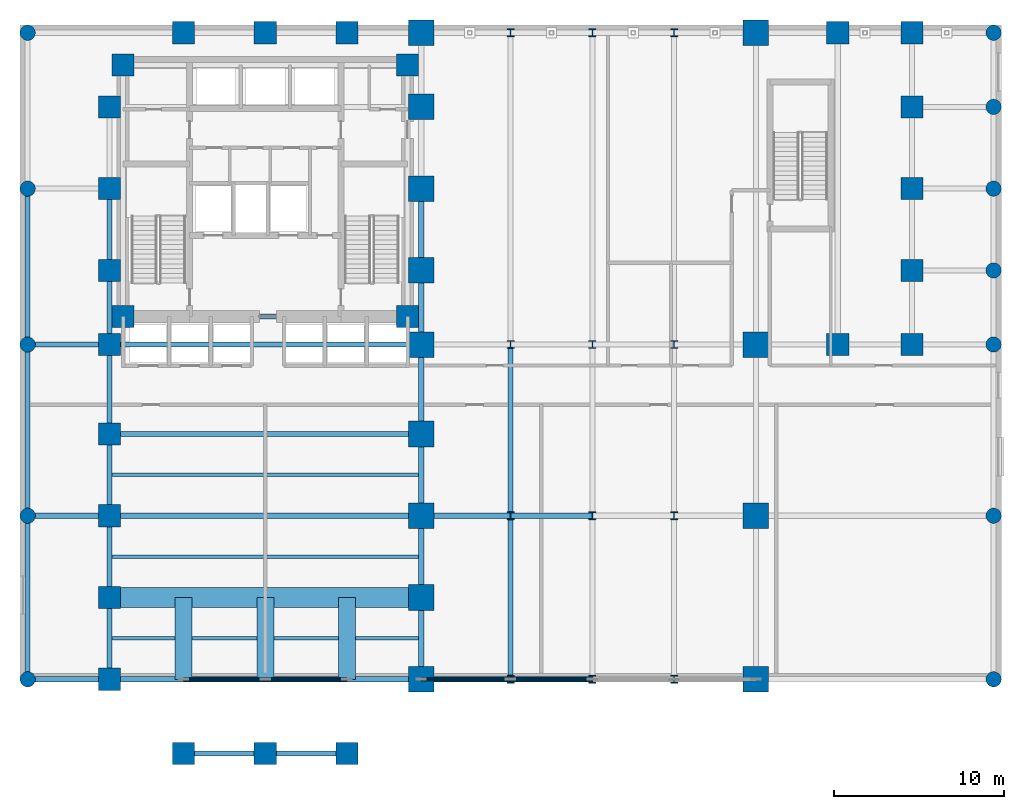
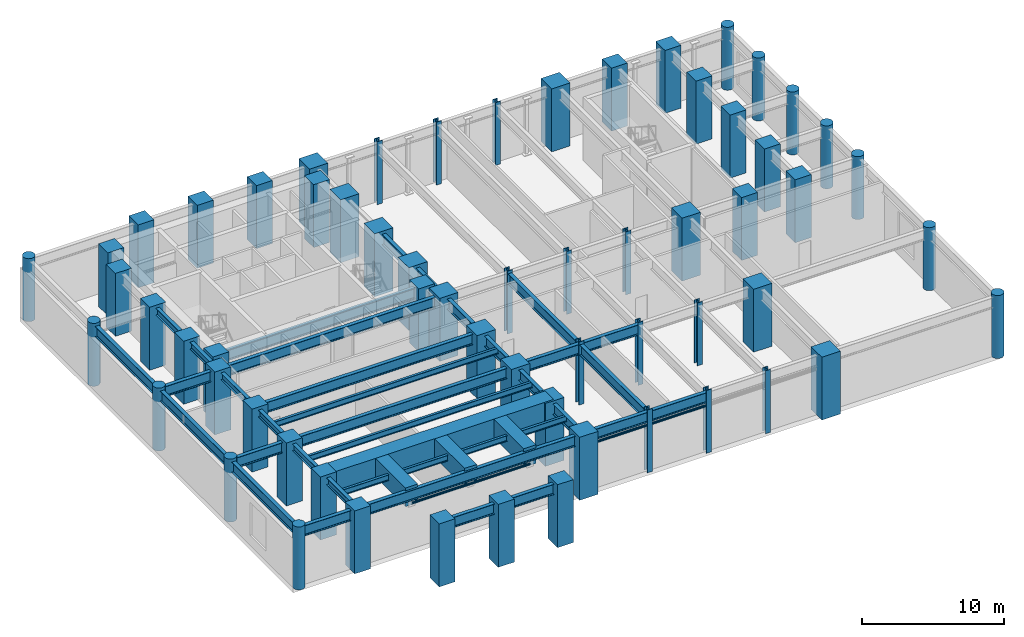
# One storey, part 1 of 10: 62 columns, 38 beams, 4 members.
"""IFC4 building model written with IfcOpenShell, lengths in metres."""

from ifc_helpers import new_model, si_unit, direction, frame, origin, origin_2d, place, context, subcontext, project, spatial, rectangle, circle, hollow_circle, i_section, extrude, material, material_profile, profile_set, type_object, element, save


model = new_model("IFC4")

# Units and contexts
model_context = context("Model", 3, precision=1e-05, world=origin(), true_north=direction((0.0, 1.0)))
body_context = subcontext(model_context, "Body", "Model", "MODEL_VIEW")
ifc_project = project(units=[si_unit("LENGTHUNIT", "METRE"), si_unit("AREAUNIT", "SQUARE_METRE"), si_unit("VOLUMEUNIT", "CUBIC_METRE"), si_unit("PLANEANGLEUNIT", "RADIAN"), si_unit("MASSUNIT", "GRAM", prefix="KILO")], contexts=[model_context])

# Site, building, storey
site_placement = place(None, origin())
site = spatial("IfcSite", under=ifc_project, at=site_placement, CompositionType="ELEMENT")
building_placement = place(site_placement, origin())
building = spatial("IfcBuilding", under=site, at=building_placement, Name="Orvandelia Arch Residences", CompositionType="ELEMENT")
storey_placement = place(building_placement, frame((0.0, 0.0, 19.60009765625)))
storey = spatial("IfcBuildingStorey", under=building, at=storey_placement, Name="L04", CompositionType="ELEMENT", Elevation=19.60009765625)

# Columns
ifc_material_1 = material(Name="Concrete C80/95", Category="concrete")
ifc_material_profile_1 = material_profile(ifc_material_1, rectangle(XDim=1.5, YDim=1.5, at=origin_2d()), Name="Concrete C80/95", Category="concrete")
ifc_profile_set_1 = profile_set([ifc_material_profile_1], Name="Concrete C80/95")
column_type_1 = type_object("IfcColumnType", Name="COL-MEGA-1500", PredefinedType="USERDEFINED", material=ifc_profile_set_1)
for number, where, z_axis, x_axis, name in (
    (1, (23.550048828125, 9.60009765625, 0.0), (0.0, 0.0, 1.0), (1.0, 0.0, 0.0), "Structural Column L04-W-E-96"),
    (2, (23.550048828125, 14.39990234375, 0.0), (0.0, 0.0, 1.0), (1.0, 0.0, 0.0), "Structural Column L04-W-E-144"),
    (3, (23.550048828125, 19.199951171875, 0.0), (0.0, 0.0, 1.0), (1.0, 0.0, 0.0), "Structural Column L04-W-E-192"),
    (4, (23.550048828125, 24.0, 0.0), (0.0, 0.0, 1.0), (1.0, 0.0, 0.0), "Structural Column L04-W-E-240"),
    (5, (23.550048828125, 29.25, 0.0), (0.0, 0.0, 1.0), (1.0, 0.0, 0.0), "Structural Column L04-W-E-292"),
    (6, (23.550048828125, 33.60009765625, 0.0), (0.0, 0.0, 1.0), (1.0, 0.0, 0.0), "Structural Column L04-W-E-336"),
    (7, (23.550048828125, 38.39990234375, 0.0), (0.0, 0.0, 1.0), (1.0, 0.0, 0.0), "Structural Column L04-W-E-384"),
    (8, (23.550048828125, 43.199951171875, 0.0), (0.0, 0.0, 1.0), (1.0, 0.0, 0.0), "Structural Column L04-W-E-432"),
    (9, (23.550048828125, 47.550048828125, 0.0), (0.0, 0.0, 1.0), (1.0, 0.0, 0.0), "Structural Column L04-W-N-235"),
    (10, (43.199951171875, 9.60009765625, 0.0), (0.0, 0.0, 1.0), (1.0, 0.0, 0.0), "Structural Column L04-MPE-96"),
    (11, (43.199951171875, 19.199951171875, 0.0), (0.0, 0.0, 1.0), (1.0, 0.0, 0.0), "Structural Column L04-MPE-192"),
    (12, (43.199951171875, 29.25, 0.0), (0.0, 0.0, 1.0), (1.0, 0.0, 0.0), "Structural Column L04-E-S-432"),
    (13, (43.199951171875, 47.550048828125, 0.0), (0.0, 0.0, 1.0), (1.0, 0.0, 0.0), "Structural Column L04-E-N-432"),
):
    element("IfcColumn", number, at=place(storey_placement, frame(where, z_axis=z_axis, x_axis=x_axis)), inside=storey, type_object=column_type_1, Name=name, ObjectType="PIER COLUMN", PredefinedType="USERDEFINED", context=body_context, shape_type="SweptSolid", body=[
        extrude(rectangle(XDim=1.5, YDim=1.5, at=origin_2d()), origin(), (0.0, 0.0, 1.0), 5.39990234375),
    ])
ifc_material_2 = material(Name="Concrete C60/75", Category="concrete")
ifc_material_profile_2 = material_profile(ifc_material_2, circle(Radius=0.449951171875, at=origin_2d()), Name="Concrete C60/75", Category="concrete")
ifc_profile_set_2 = profile_set([ifc_material_profile_2], Name="Concrete C60/75")
column_type_2 = type_object("IfcColumnType", Name="COL-POD-900C", PredefinedType="COLUMN", material=ifc_profile_set_2)
for number, where, z_axis, x_axis, name in (
    (14, (0.449951171875, 9.60009765625, 0.0), (0.0, 0.0, 1.0), (1.0, 0.0, 0.0), "Structural Column L04-POD-W0-96"),
    (15, (0.449951171875, 19.199951171875, 0.0), (0.0, 0.0, 1.0), (1.0, 0.0, 0.0), "Structural Column L04-POD-W0-192"),
    (16, (0.449951171875, 29.25, 0.0), (0.0, 0.0, 1.0), (1.0, 0.0, 0.0), "Structural Column L04-POD-W0-292"),
    (17, (0.449951171875, 38.39990234375, 0.0), (0.0, 0.0, 1.0), (1.0, 0.0, 0.0), "Structural Column L04-POD-W0-384"),
    (18, (0.449951171875, 47.550048828125, 0.0), (0.0, 0.0, 1.0), (1.0, 0.0, 0.0), "Structural Column L04-POD-W0-475"),
    (19, (57.14990234375, 9.60009765625, 0.0), (0.0, 0.0, 1.0), (1.0, 0.0, 0.0), "Structural Column L04-POD-E0-96"),
    (20, (57.14990234375, 19.199951171875, 0.0), (0.0, 0.0, 1.0), (1.0, 0.0, 0.0), "Structural Column L04-POD-E0-192"),
    (21, (57.14990234375, 29.25, 0.0), (0.0, 0.0, 1.0), (1.0, 0.0, 0.0), "Structural Column L04-POD-E0-292"),
    (22, (57.14990234375, 33.60009765625, 0.0), (0.0, 0.0, 1.0), (1.0, 0.0, 0.0), "Structural Column L04-E-571-336"),
    (23, (57.14990234375, 38.39990234375, 0.0), (0.0, 0.0, 1.0), (1.0, 0.0, 0.0), "Structural Column L04-POD-E0-384"),
    (24, (57.14990234375, 43.199951171875, 0.0), (0.0, 0.0, 1.0), (1.0, 0.0, 0.0), "Structural Column L04-E-571-432"),
    (25, (57.14990234375, 47.550048828125, 0.0), (0.0, 0.0, 1.0), (1.0, 0.0, 0.0), "Structural Column L04-POD-E0-475"),
):
    element("IfcColumn", number, at=place(storey_placement, frame(where, z_axis=z_axis, x_axis=x_axis)), inside=storey, type_object=column_type_2, Name=name, PredefinedType="COLUMN", context=body_context, shape_type="SweptSolid", body=[
        extrude(circle(Radius=0.449951171875, at=origin_2d()), origin(), (0.0, 0.0, 1.0), 5.39990234375),
    ])
ifc_material_profile_3 = material_profile(ifc_material_1, rectangle(XDim=1.300048828125, YDim=1.300048828125, at=origin_2d()), Name="Concrete C80/95", Category="concrete")
ifc_profile_set_3 = profile_set([ifc_material_profile_3], Name="Concrete C80/95")
column_type_3 = type_object("IfcColumnType", Name="COL-TWR-1300", PredefinedType="COLUMN", material=ifc_profile_set_3)
for number, where, z_axis, x_axis, name in (
    (26, (5.25, 9.60009765625, 0.0), (0.0, 0.0, 1.0), (1.0, 0.0, 0.0), "Structural Column L04-W-W-96"),
    (27, (5.25, 14.39990234375, 0.0), (0.0, 0.0, 1.0), (1.0, 0.0, 0.0), "Structural Column L04-W-W-144"),
    (28, (5.25, 19.199951171875, 0.0), (0.0, 0.0, 1.0), (1.0, 0.0, 0.0), "Structural Column L04-W-W-192"),
    (29, (5.25, 24.0, 0.0), (0.0, 0.0, 1.0), (1.0, 0.0, 0.0), "Structural Column L04-W-W-240"),
    (30, (5.25, 29.25, 0.0), (0.0, 0.0, 1.0), (1.0, 0.0, 0.0), "Structural Column L04-W-W-292"),
    (31, (5.25, 33.60009765625, 0.0), (0.0, 0.0, 1.0), (1.0, 0.0, 0.0), "Structural Column L04-W-W-336"),
    (32, (5.25, 38.39990234375, 0.0), (0.0, 0.0, 1.0), (1.0, 0.0, 0.0), "Structural Column L04-W-W-384"),
    (33, (5.25, 43.199951171875, 0.0), (0.0, 0.0, 1.0), (1.0, 0.0, 0.0), "Structural Column L04-W-W-432"),
    (34, (6.050048828125, 30.89990234375, 0.0), (0.0, 0.0, 1.0), (1.0, 0.0, 0.0), "Structural Column L04-CR-SW"),
    (35, (6.050048828125, 45.64990234375, 0.0), (0.0, 0.0, 1.0), (1.0, 0.0, 0.0), "Structural Column L04-CR-NW"),
    (36, (9.60009765625, 5.25, 0.0), (0.0, 0.0, 1.0), (1.0, 0.0, 0.0), "Structural Column L04-W-S-96"),
    (37, (9.60009765625, 47.550048828125, 0.0), (0.0, 0.0, 1.0), (1.0, 0.0, 0.0), "Structural Column L04-W-N-96"),
    (38, (14.39990234375, 5.25, 0.0), (0.0, 0.0, 1.0), (1.0, 0.0, 0.0), "Structural Column L04-W-S-144"),
    (39, (14.39990234375, 47.550048828125, 0.0), (0.0, 0.0, 1.0), (1.0, 0.0, 0.0), "Structural Column L04-W-N-144"),
    (40, (19.199951171875, 5.25, 0.0), (0.0, 0.0, 1.0), (1.0, 0.0, 0.0), "Structural Column L04-W-S-192"),
    (41, (19.199951171875, 47.550048828125, 0.0), (0.0, 0.0, 1.0), (1.0, 0.0, 0.0), "Structural Column L04-W-N-192"),
    (42, (22.75, 30.89990234375, 0.0), (0.0, 0.0, 1.0), (1.0, 0.0, 0.0), "Structural Column L04-CR-SE"),
    (43, (22.75, 45.64990234375, 0.0), (0.0, 0.0, 1.0), (1.0, 0.0, 0.0), "Structural Column L04-CR-NE"),
    (44, (48.0, 29.25, 0.0), (0.0, 0.0, 1.0), (1.0, 0.0, 0.0), "Structural Column L04-E-S-480"),
    (45, (48.0, 47.550048828125, 0.0), (0.0, 0.0, 1.0), (1.0, 0.0, 0.0), "Structural Column L04-E-N-480"),
    (46, (52.35009765625, 29.25, 0.0), (0.0, 0.0, 1.0), (1.0, 0.0, 0.0), "Structural Column L04-E-S-523"),
    (47, (52.35009765625, 33.60009765625, 0.0), (0.0, 0.0, 1.0), (1.0, 0.0, 0.0), "Structural Column L04-E-523-336"),
    (48, (52.35009765625, 38.39990234375, 0.0), (0.0, 0.0, 1.0), (1.0, 0.0, 0.0), "Structural Column L04-E-523-384"),
    (49, (52.35009765625, 43.199951171875, 0.0), (0.0, 0.0, 1.0), (1.0, 0.0, 0.0), "Structural Column L04-E-523-432"),
    (50, (52.35009765625, 47.550048828125, 0.0), (0.0, 0.0, 1.0), (1.0, 0.0, 0.0), "Structural Column L04-E-N-523"),
):
    element("IfcColumn", number, at=place(storey_placement, frame(where, z_axis=z_axis, x_axis=x_axis)), inside=storey, type_object=column_type_3, Name=name, PredefinedType="COLUMN", context=body_context, shape_type="SweptSolid", body=[
        extrude(rectangle(XDim=1.300048828125, YDim=1.300048828125, at=origin_2d()), origin(), (0.0, 0.0, 1.0), 5.39990234375),
    ])
ifc_material_3 = material(Name="Structural Steel HSA650 (650 MPa)", Category="steel")
ifc_material_profile_4 = material_profile(ifc_material_3, i_section(OverallWidth=0.4169921875, OverallDepth=0.4580078125, WebThickness=0.030029296875, FlangeThickness=0.044921875, FilletRadius=0.02197265625, at=origin_2d()), Name="Structural Steel HSA650 (650 MPa)", Category="steel")
ifc_profile_set_4 = profile_set([ifc_material_profile_4], Name="Structural Steel HSA650 (650 MPa)")
column_type_4 = type_object("IfcColumnType", Name="COL-VRD-H458", PredefinedType="COLUMN", material=ifc_profile_set_4)
for number, where, z_axis, x_axis, name in (
    (51, (28.800048828125, 9.60009765625, 0.0), (0.0, 0.0, 1.0), (1.0, 0.0, 0.0), "Structural Column L04-XFR-S-288-96"),
    (52, (28.800048828125, 19.199951171875, 0.0), (0.0, 0.0, 1.0), (1.0, 0.0, 0.0), "Structural Column L04-XFR-S-288-192"),
    (53, (28.800048828125, 29.25, 0.0), (0.0, 0.0, 1.0), (1.0, 0.0, 0.0), "Structural Column L04-E-S-288"),
    (54, (28.800048828125, 47.550048828125, 0.0), (0.0, 0.0, 1.0), (1.0, 0.0, 0.0), "Structural Column L04-E-N-288"),
    (55, (33.60009765625, 9.60009765625, 0.0), (0.0, 0.0, 1.0), (1.0, 0.0, 0.0), "Structural Column L04-XFR-S-336-96"),
    (56, (33.60009765625, 19.199951171875, 0.0), (0.0, 0.0, 1.0), (1.0, 0.0, 0.0), "Structural Column L04-XFR-S-336-192"),
    (57, (33.60009765625, 29.25, 0.0), (0.0, 0.0, 1.0), (1.0, 0.0, 0.0), "Structural Column L04-E-S-336"),
    (58, (33.60009765625, 47.550048828125, 0.0), (0.0, 0.0, 1.0), (1.0, 0.0, 0.0), "Structural Column L04-E-N-336"),
    (59, (38.39990234375, 9.60009765625, 0.0), (0.0, 0.0, 1.0), (1.0, 0.0, 0.0), "Structural Column L04-XFR-S-384-96"),
    (60, (38.39990234375, 19.199951171875, 0.0), (0.0, 0.0, 1.0), (1.0, 0.0, 0.0), "Structural Column L04-XFR-S-384-192"),
    (61, (38.39990234375, 29.25, 0.0), (0.0, 0.0, 1.0), (1.0, 0.0, 0.0), "Structural Column L04-E-S-384"),
    (62, (38.39990234375, 47.550048828125, 0.0), (0.0, 0.0, 1.0), (1.0, 0.0, 0.0), "Structural Column L04-E-N-384"),
):
    element("IfcColumn", number, at=place(storey_placement, frame(where, z_axis=z_axis, x_axis=x_axis)), inside=storey, type_object=column_type_4, Name=name, PredefinedType="COLUMN", context=body_context, shape_type="SweptSolid", body=[
        extrude(i_section(OverallWidth=0.4169921875, OverallDepth=0.4580078125, WebThickness=0.030029296875, FlangeThickness=0.044921875, FilletRadius=0.02197265625, at=origin_2d()), origin(), (0.0, 0.0, 1.0), 5.39990234375),
    ])

# Beams
ifc_material_profile_5 = material_profile(ifc_material_3, i_section(OverallWidth=0.300048828125, OverallDepth=0.89990234375, WebThickness=0.01611328125, FlangeThickness=0.028076171875, FilletRadius=0.028076171875, at=origin_2d()), Name="Structural Steel HSA650 (650 MPa)", Category="steel")
ifc_profile_set_5 = profile_set([ifc_material_profile_5], Name="Structural Steel HSA650 (650 MPa)")
beam_type_1 = type_object("IfcBeamType", Name="BM-GRD-H900", PredefinedType="BEAM", material=ifc_profile_set_5)
beam_1_placement = place(storey_placement, frame((0.449951171875, 9.60009765625, 4.699951171875), z_axis=(0.0, 1.0, 0.0), x_axis=(-1.0, 0.0, 0.0)))
element("IfcBeam", 63, at=beam_1_placement, inside=storey, type_object=beam_type_1, Name="Structural Frame Beam L04-NS-001", PredefinedType="BEAM", context=body_context, shape_type="SweptSolid", body=[
    extrude(i_section(OverallWidth=0.300048828125, OverallDepth=0.89990234375, WebThickness=0.01611328125, FlangeThickness=0.028076171875, FilletRadius=0.028076171875, at=origin_2d()), origin(), (0.0, 0.0, 1.0), 9.599853515625),
])
beam_2_placement = place(storey_placement, frame((0.449951171875, 19.199951171875, 4.699951171875), z_axis=(0.0, 1.0, 0.0), x_axis=(-1.0, 0.0, 0.0)))
element("IfcBeam", 64, at=beam_2_placement, inside=storey, type_object=beam_type_1, Name="Structural Frame Beam L04-NS-002", PredefinedType="BEAM", context=body_context, shape_type="SweptSolid", body=[
    extrude(i_section(OverallWidth=0.300048828125, OverallDepth=0.89990234375, WebThickness=0.01611328125, FlangeThickness=0.028076171875, FilletRadius=0.028076171875, at=origin_2d()), origin(), (0.0, 0.0, 1.0), 10.050048828125),
])
beam_3_placement = place(storey_placement, frame((0.449951171875, 29.25, 4.699951171875), z_axis=(0.0, 1.0, 0.0), x_axis=(-1.0, 0.0, 0.0)))
element("IfcBeam", 65, at=beam_3_placement, inside=storey, type_object=beam_type_1, Name="Structural Frame Beam L04-NS-003", PredefinedType="BEAM", context=body_context, shape_type="SweptSolid", body=[
    extrude(i_section(OverallWidth=0.300048828125, OverallDepth=0.89990234375, WebThickness=0.01611328125, FlangeThickness=0.028076171875, FilletRadius=0.028076171875, at=origin_2d()), origin(), (0.0, 0.0, 1.0), 9.14990234375),
])
beam_4_placement = place(storey_placement, frame((23.550048828125, 9.60009765625, 4.699951171875), z_axis=(0.0, 1.0, 0.0), x_axis=(-1.0, 0.0, 0.0)))
element("IfcBeam", 66, at=beam_4_placement, inside=storey, type_object=beam_type_1, Name="Structural Frame Beam L04-NS-014", PredefinedType="BEAM", context=body_context, shape_type="SweptSolid", body=[
    extrude(i_section(OverallWidth=0.300048828125, OverallDepth=0.89990234375, WebThickness=0.01611328125, FlangeThickness=0.028076171875, FilletRadius=0.028076171875, at=origin_2d()), origin(), (0.0, 0.0, 1.0), 4.7998046875),
])
for number, where, z_axis, x_axis, name in (
    (67, (23.550048828125, 14.39990234375, 4.699951171875), (0.0, 1.0, 0.0), (-1.0, 0.0, 0.0), "Structural Frame Beam L04-NS-015"),
    (68, (23.550048828125, 19.199951171875, 4.699951171875), (0.0, 1.0, 0.0), (-1.0, 0.0, 0.0), "Structural Frame Beam L04-NS-016"),
):
    element("IfcBeam", number, at=place(storey_placement, frame(where, z_axis=z_axis, x_axis=x_axis)), inside=storey, type_object=beam_type_1, Name=name, PredefinedType="BEAM", context=body_context, shape_type="SweptSolid", body=[
        extrude(i_section(OverallWidth=0.300048828125, OverallDepth=0.89990234375, WebThickness=0.01611328125, FlangeThickness=0.028076171875, FilletRadius=0.028076171875, at=origin_2d()), origin(), (0.0, 0.0, 1.0), 4.800048828125),
    ])
beam_5_placement = place(storey_placement, frame((23.550048828125, 24.0, 4.699951171875), z_axis=(0.0, 1.0, 0.0), x_axis=(-1.0, 0.0, 0.0)))
element("IfcBeam", 69, at=beam_5_placement, inside=storey, type_object=beam_type_1, Name="Structural Frame Beam L04-NS-017", PredefinedType="BEAM", context=body_context, shape_type="SweptSolid", body=[
    extrude(i_section(OverallWidth=0.300048828125, OverallDepth=0.89990234375, WebThickness=0.01611328125, FlangeThickness=0.028076171875, FilletRadius=0.028076171875, at=origin_2d()), origin(), (0.0, 0.0, 1.0), 5.25),
])
beam_6_placement = place(storey_placement, frame((23.550048828125, 29.25, 4.699951171875), z_axis=(0.0, 1.0, 0.0), x_axis=(-1.0, 0.0, 0.0)))
element("IfcBeam", 70, at=beam_6_placement, inside=storey, type_object=beam_type_1, Name="Structural Frame Beam L04-NS-018", PredefinedType="BEAM", context=body_context, shape_type="SweptSolid", body=[
    extrude(i_section(OverallWidth=0.300048828125, OverallDepth=0.89990234375, WebThickness=0.01611328125, FlangeThickness=0.028076171875, FilletRadius=0.028076171875, at=origin_2d()), origin(), (0.0, 0.0, 1.0), 4.35009765625),
])
beam_7_placement = place(storey_placement, frame((23.550048828125, 33.60009765625, 4.699951171875), z_axis=(0.0, 1.0, 0.0), x_axis=(-1.0, 0.0, 0.0)))
element("IfcBeam", 71, at=beam_7_placement, inside=storey, type_object=beam_type_1, Name="Structural Frame Beam L04-NS-019", PredefinedType="BEAM", context=body_context, shape_type="SweptSolid", body=[
    extrude(i_section(OverallWidth=0.300048828125, OverallDepth=0.89990234375, WebThickness=0.01611328125, FlangeThickness=0.028076171875, FilletRadius=0.028076171875, at=origin_2d()), origin(), (0.0, 0.0, 1.0), 4.7998046875),
])
beam_8_placement = place(storey_placement, frame((28.800048828125, 9.60009765625, 4.699951171875), z_axis=(0.0, 1.0, 0.0), x_axis=(-1.0, 0.0, 0.0)))
element("IfcBeam", 72, at=beam_8_placement, inside=storey, type_object=beam_type_1, Name="Structural Frame Beam L04-NS-022", PredefinedType="BEAM", context=body_context, shape_type="SweptSolid", body=[
    extrude(i_section(OverallWidth=0.300048828125, OverallDepth=0.89990234375, WebThickness=0.01611328125, FlangeThickness=0.028076171875, FilletRadius=0.028076171875, at=origin_2d()), origin(), (0.0, 0.0, 1.0), 9.599853515625),
])
beam_9_placement = place(storey_placement, frame((28.800048828125, 19.199951171875, 4.699951171875), z_axis=(0.0, 1.0, 0.0), x_axis=(-1.0, 0.0, 0.0)))
element("IfcBeam", 73, at=beam_9_placement, inside=storey, type_object=beam_type_1, Name="Structural Frame Beam L04-NS-023", PredefinedType="BEAM", context=body_context, shape_type="SweptSolid", body=[
    extrude(i_section(OverallWidth=0.300048828125, OverallDepth=0.89990234375, WebThickness=0.01611328125, FlangeThickness=0.028076171875, FilletRadius=0.028076171875, at=origin_2d()), origin(), (0.0, 0.0, 1.0), 10.050048828125),
])
beam_10_placement = place(storey_placement, frame((9.60009765625, 5.25, 4.699951171875), z_axis=(1.0, 0.0, 0.0), x_axis=(0.0, 1.0, 0.0)))
element("IfcBeam", 74, at=beam_10_placement, inside=storey, type_object=beam_type_1, Name="Structural Frame Girder L04-EW-045", PredefinedType="BEAM", context=body_context, shape_type="SweptSolid", body=[
    extrude(i_section(OverallWidth=0.300048828125, OverallDepth=0.89990234375, WebThickness=0.01611328125, FlangeThickness=0.028076171875, FilletRadius=0.028076171875, at=origin_2d()), origin(), (0.0, 0.0, 1.0), 4.7998046875),
])
for number, where, z_axis, x_axis, name in (
    (75, (14.39990234375, 5.25, 4.699951171875), (1.0, 0.0, 0.0), (0.0, 1.0, 0.0), "Structural Frame Girder L04-EW-046"),
    (76, (0.449951171875, 9.60009765625, 4.699951171875), (1.0, 0.0, 0.0), (0.0, 1.0, 0.0), "Structural Frame Girder L04-EW-047"),
):
    element("IfcBeam", number, at=place(storey_placement, frame(where, z_axis=z_axis, x_axis=x_axis)), inside=storey, type_object=beam_type_1, Name=name, PredefinedType="BEAM", context=body_context, shape_type="SweptSolid", body=[
        extrude(i_section(OverallWidth=0.300048828125, OverallDepth=0.89990234375, WebThickness=0.01611328125, FlangeThickness=0.028076171875, FilletRadius=0.028076171875, at=origin_2d()), origin(), (0.0, 0.0, 1.0), 4.800048828125),
    ])
beam_11_placement = place(storey_placement, frame((5.25, 9.60009765625, 4.699951171875), z_axis=(1.0, 0.0, 0.0), x_axis=(0.0, 1.0, 0.0)))
element("IfcBeam", 77, at=beam_11_placement, inside=storey, type_object=beam_type_1, Name="Structural Frame Girder L04-EW-048", PredefinedType="BEAM", context=body_context, shape_type="SweptSolid", body=[
    extrude(i_section(OverallWidth=0.300048828125, OverallDepth=0.89990234375, WebThickness=0.01611328125, FlangeThickness=0.028076171875, FilletRadius=0.028076171875, at=origin_2d()), origin(), (0.0, 0.0, 1.0), 18.300048828125),
])
beam_12_placement = place(storey_placement, frame((23.550048828125, 9.60009765625, 4.699951171875), z_axis=(1.0, 0.0, 0.0), x_axis=(0.0, 1.0, 0.0)))
element("IfcBeam", 78, at=beam_12_placement, inside=storey, type_object=beam_type_1, Name="Structural Frame Girder L04-EW-049", PredefinedType="BEAM", context=body_context, shape_type="SweptSolid", body=[
    extrude(i_section(OverallWidth=0.300048828125, OverallDepth=0.89990234375, WebThickness=0.01611328125, FlangeThickness=0.028076171875, FilletRadius=0.028076171875, at=origin_2d()), origin(), (0.0, 0.0, 1.0), 5.25),
])
for number, where, z_axis, x_axis, name in (
    (79, (28.800048828125, 9.60009765625, 4.699951171875), (1.0, 0.0, 0.0), (0.0, 1.0, 0.0), "Structural Frame Girder L04-EW-050"),
    (80, (0.449951171875, 19.199951171875, 4.699951171875), (1.0, 0.0, 0.0), (0.0, 1.0, 0.0), "Structural Frame Girder L04-EW-055"),
):
    element("IfcBeam", number, at=place(storey_placement, frame(where, z_axis=z_axis, x_axis=x_axis)), inside=storey, type_object=beam_type_1, Name=name, PredefinedType="BEAM", context=body_context, shape_type="SweptSolid", body=[
        extrude(i_section(OverallWidth=0.300048828125, OverallDepth=0.89990234375, WebThickness=0.01611328125, FlangeThickness=0.028076171875, FilletRadius=0.028076171875, at=origin_2d()), origin(), (0.0, 0.0, 1.0), 4.800048828125),
    ])
beam_13_placement = place(storey_placement, frame((5.25, 19.199951171875, 4.699951171875), z_axis=(1.0, 0.0, 0.0), x_axis=(0.0, 1.0, 0.0)))
element("IfcBeam", 81, at=beam_13_placement, inside=storey, type_object=beam_type_1, Name="Structural Frame Girder L04-EW-056", PredefinedType="BEAM", context=body_context, shape_type="SweptSolid", body=[
    extrude(i_section(OverallWidth=0.300048828125, OverallDepth=0.89990234375, WebThickness=0.01611328125, FlangeThickness=0.028076171875, FilletRadius=0.028076171875, at=origin_2d()), origin(), (0.0, 0.0, 1.0), 18.300048828125),
])
beam_14_placement = place(storey_placement, frame((23.550048828125, 19.199951171875, 4.699951171875), z_axis=(1.0, 0.0, 0.0), x_axis=(0.0, 1.0, 0.0)))
element("IfcBeam", 82, at=beam_14_placement, inside=storey, type_object=beam_type_1, Name="Structural Frame Girder L04-EW-057", PredefinedType="BEAM", context=body_context, shape_type="SweptSolid", body=[
    extrude(i_section(OverallWidth=0.300048828125, OverallDepth=0.89990234375, WebThickness=0.01611328125, FlangeThickness=0.028076171875, FilletRadius=0.028076171875, at=origin_2d()), origin(), (0.0, 0.0, 1.0), 5.25),
])
beam_15_placement = place(storey_placement, frame((28.800048828125, 19.199951171875, 4.699951171875), z_axis=(1.0, 0.0, 0.0), x_axis=(0.0, 1.0, 0.0)))
element("IfcBeam", 83, at=beam_15_placement, inside=storey, type_object=beam_type_1, Name="Structural Frame Girder L04-EW-058", PredefinedType="BEAM", context=body_context, shape_type="SweptSolid", body=[
    extrude(i_section(OverallWidth=0.300048828125, OverallDepth=0.89990234375, WebThickness=0.01611328125, FlangeThickness=0.028076171875, FilletRadius=0.028076171875, at=origin_2d()), origin(), (0.0, 0.0, 1.0), 4.800048828125),
])
beam_16_placement = place(storey_placement, frame((5.25, 24.0, 4.699951171875), z_axis=(1.0, 0.0, 0.0), x_axis=(0.0, 1.0, 0.0)))
element("IfcBeam", 84, at=beam_16_placement, inside=storey, type_object=beam_type_1, Name="Structural Frame Girder L04-EW-062", PredefinedType="BEAM", context=body_context, shape_type="SweptSolid", body=[
    extrude(i_section(OverallWidth=0.300048828125, OverallDepth=0.89990234375, WebThickness=0.01611328125, FlangeThickness=0.028076171875, FilletRadius=0.028076171875, at=origin_2d()), origin(), (0.0, 0.0, 1.0), 18.300048828125),
])
beam_17_placement = place(storey_placement, frame((0.449951171875, 29.25, 4.699951171875), z_axis=(1.0, 0.0, 0.0), x_axis=(0.0, 1.0, 0.0)))
element("IfcBeam", 85, at=beam_17_placement, inside=storey, type_object=beam_type_1, Name="Structural Frame Girder L04-EW-063", PredefinedType="BEAM", context=body_context, shape_type="SweptSolid", body=[
    extrude(i_section(OverallWidth=0.300048828125, OverallDepth=0.89990234375, WebThickness=0.01611328125, FlangeThickness=0.028076171875, FilletRadius=0.028076171875, at=origin_2d()), origin(), (0.0, 0.0, 1.0), 4.800048828125),
])
beam_18_placement = place(storey_placement, frame((5.25, 29.25, 4.699951171875), z_axis=(1.0, 0.0, 0.0), x_axis=(0.0, 1.0, 0.0)))
element("IfcBeam", 86, at=beam_18_placement, inside=storey, type_object=beam_type_1, Name="Structural Frame Girder L04-EW-064", PredefinedType="BEAM", context=body_context, shape_type="SweptSolid", body=[
    extrude(i_section(OverallWidth=0.300048828125, OverallDepth=0.89990234375, WebThickness=0.01611328125, FlangeThickness=0.028076171875, FilletRadius=0.028076171875, at=origin_2d()), origin(), (0.0, 0.0, 1.0), 18.300048828125),
])
beam_19_placement = place(storey_placement, frame((6.050048828125, 30.89990234375, 4.699951171875), z_axis=(1.0, 0.0, 0.0), x_axis=(0.0, 1.0, 0.0)))
element("IfcBeam", 87, at=beam_19_placement, inside=storey, type_object=beam_type_1, Name="Structural Frame Girder L04-EW-072", PredefinedType="BEAM", context=body_context, shape_type="SweptSolid", body=[
    extrude(i_section(OverallWidth=0.300048828125, OverallDepth=0.89990234375, WebThickness=0.01611328125, FlangeThickness=0.028076171875, FilletRadius=0.028076171875, at=origin_2d()), origin(), (0.0, 0.0, 1.0), 16.699951171875),
])
ifc_material_4 = material(Name="Structural Steel SM355 (355 MPa)", Category="steel")
ifc_material_profile_6 = material_profile(ifc_material_4, i_section(OverallWidth=0.199951171875, OverallDepth=0.5, WebThickness=0.010009765625, FlangeThickness=0.01611328125, FilletRadius=0.02001953125, at=origin_2d()), Name="Structural Steel SM355 (355 MPa)", Category="steel")
ifc_profile_set_6 = profile_set([ifc_material_profile_6], Name="Structural Steel SM355 (355 MPa)")
beam_type_2 = type_object("IfcBeamType", Name="BM-SEC-H500", PredefinedType="BEAM", material=ifc_profile_set_6)
for number, where, z_axis, x_axis, name in (
    (88, (5.25, 12.0, 4.89990234375), (1.0, 0.0, 0.0), (0.0, 1.0, 0.0), "Podium Secondary Steel Beam L04-B1"),
    (89, (5.25, 16.800048828125, 4.89990234375), (1.0, 0.0, 0.0), (0.0, 1.0, 0.0), "Podium Secondary Steel Beam L04-B2"),
    (90, (5.25, 21.60009765625, 4.89990234375), (1.0, 0.0, 0.0), (0.0, 1.0, 0.0), "Podium Secondary Steel Beam L04-B3"),
):
    element("IfcBeam", number, at=place(storey_placement, frame(where, z_axis=z_axis, x_axis=x_axis)), inside=storey, type_object=beam_type_2, Name=name, PredefinedType="BEAM", context=body_context, shape_type="SweptSolid", body=[
        extrude(i_section(OverallWidth=0.199951171875, OverallDepth=0.5, WebThickness=0.010009765625, FlangeThickness=0.01611328125, FilletRadius=0.02001953125, at=origin_2d()), origin(), (0.0, 0.0, 1.0), 18.300048828125),
    ])
ifc_material_profile_7 = material_profile(ifc_material_4, i_section(OverallWidth=0.300048828125, OverallDepth=0.587890625, WebThickness=0.011962890625, FlangeThickness=0.02001953125, FilletRadius=0.02197265625, at=origin_2d()), Name="Structural Steel SM355 (355 MPa)", Category="steel")
ifc_profile_set_7 = profile_set([ifc_material_profile_7], Name="Structural Steel SM355 (355 MPa)")
beam_type_3 = type_object("IfcBeamType", Name="BM-SPN-H588", PredefinedType="SPANDREL", material=ifc_profile_set_7)
beam_20_placement = place(storey_placement, frame((5.25, 9.60009765625, 4.85595703125), z_axis=(0.0, 1.0, 0.0), x_axis=(-1.0, 0.0, 0.0)))
element("IfcBeam", 91, at=beam_20_placement, inside=storey, type_object=beam_type_3, Name="Structural Frame Beam L04-NS-005", PredefinedType="SPANDREL", context=body_context, shape_type="SweptSolid", body=[
    extrude(i_section(OverallWidth=0.300048828125, OverallDepth=0.587890625, WebThickness=0.011962890625, FlangeThickness=0.02001953125, FilletRadius=0.02197265625, at=origin_2d()), origin(), (0.0, 0.0, 1.0), 4.7998046875),
])
for number, where, z_axis, x_axis, name in (
    (92, (5.25, 14.39990234375, 4.85595703125), (0.0, 1.0, 0.0), (-1.0, 0.0, 0.0), "Structural Frame Beam L04-NS-006"),
    (93, (5.25, 19.199951171875, 4.85595703125), (0.0, 1.0, 0.0), (-1.0, 0.0, 0.0), "Structural Frame Beam L04-NS-007"),
):
    element("IfcBeam", number, at=place(storey_placement, frame(where, z_axis=z_axis, x_axis=x_axis)), inside=storey, type_object=beam_type_3, Name=name, PredefinedType="SPANDREL", context=body_context, shape_type="SweptSolid", body=[
        extrude(i_section(OverallWidth=0.300048828125, OverallDepth=0.587890625, WebThickness=0.011962890625, FlangeThickness=0.02001953125, FilletRadius=0.02197265625, at=origin_2d()), origin(), (0.0, 0.0, 1.0), 4.800048828125),
    ])
beam_21_placement = place(storey_placement, frame((5.25, 24.0, 4.85595703125), z_axis=(0.0, 1.0, 0.0), x_axis=(-1.0, 0.0, 0.0)))
element("IfcBeam", 94, at=beam_21_placement, inside=storey, type_object=beam_type_3, Name="Structural Frame Beam L04-NS-008", PredefinedType="SPANDREL", context=body_context, shape_type="SweptSolid", body=[
    extrude(i_section(OverallWidth=0.300048828125, OverallDepth=0.587890625, WebThickness=0.011962890625, FlangeThickness=0.02001953125, FilletRadius=0.02197265625, at=origin_2d()), origin(), (0.0, 0.0, 1.0), 5.25),
])
beam_22_placement = place(storey_placement, frame((5.25, 29.25, 4.85595703125), z_axis=(0.0, 1.0, 0.0), x_axis=(-1.0, 0.0, 0.0)))
element("IfcBeam", 95, at=beam_22_placement, inside=storey, type_object=beam_type_3, Name="Structural Frame Beam L04-NS-009", PredefinedType="SPANDREL", context=body_context, shape_type="SweptSolid", body=[
    extrude(i_section(OverallWidth=0.300048828125, OverallDepth=0.587890625, WebThickness=0.011962890625, FlangeThickness=0.02001953125, FilletRadius=0.02197265625, at=origin_2d()), origin(), (0.0, 0.0, 1.0), 4.35009765625),
])
beam_23_placement = place(storey_placement, frame((5.25, 33.60009765625, 4.85595703125), z_axis=(0.0, 1.0, 0.0), x_axis=(-1.0, 0.0, 0.0)))
element("IfcBeam", 96, at=beam_23_placement, inside=storey, type_object=beam_type_3, Name="Structural Frame Beam L04-NS-010", PredefinedType="SPANDREL", context=body_context, shape_type="SweptSolid", body=[
    extrude(i_section(OverallWidth=0.300048828125, OverallDepth=0.587890625, WebThickness=0.011962890625, FlangeThickness=0.02001953125, FilletRadius=0.02197265625, at=origin_2d()), origin(), (0.0, 0.0, 1.0), 4.7998046875),
])

# Members
ifc_material_profile_8 = material_profile(ifc_material_4, hollow_circle(Radius=0.108154296875, WallThickness=0.008056640625, at=origin_2d()), Name="Structural Steel SM355 (355 MPa)", Category="steel")
ifc_profile_set_8 = profile_set([ifc_material_profile_8], Name="Structural Steel SM355 (355 MPa)")
member_type = type_object("IfcMemberType", Name="MBR-TIE-CHS216", PredefinedType="MEMBER", material=ifc_profile_set_8)
member_1_placement = place(storey_placement, frame((9.60009765625, 9.60009765625, 3.949951171875), z_axis=(1.0, 0.0, 0.0), x_axis=(0.0, 1.0, 0.0)))
element("IfcMember", 97, at=member_1_placement, inside=storey, type_object=member_type, Name="Diaphragm Collector Tie Member TM-1", PredefinedType="MEMBER", context=body_context, shape_type="SweptSolid", body=[
    extrude(hollow_circle(Radius=0.108154296875, WallThickness=0.008056640625, at=origin_2d()), origin(), (0.0, 0.0, 1.0), 4.7998046875),
])
member_2_placement = place(storey_placement, frame((14.39990234375, 9.60009765625, 3.949951171875), z_axis=(1.0, 0.0, 0.0), x_axis=(0.0, 1.0, 0.0)))
element("IfcMember", 98, at=member_2_placement, inside=storey, type_object=member_type, Name="Diaphragm Collector Tie Member TM-2", PredefinedType="MEMBER", context=body_context, shape_type="SweptSolid", body=[
    extrude(hollow_circle(Radius=0.108154296875, WallThickness=0.008056640625, at=origin_2d()), origin(), (0.0, 0.0, 1.0), 4.800048828125),
])
member_3_placement = place(storey_placement, frame((23.550048828125, 9.60009765625, 3.949951171875), z_axis=(1.0, 0.0, 0.0), x_axis=(0.0, 1.0, 0.0)))
element("IfcMember", 99, at=member_3_placement, inside=storey, type_object=member_type, Name="Diaphragm Collector Tie Member TM-3", PredefinedType="MEMBER", context=body_context, shape_type="SweptSolid", body=[
    extrude(hollow_circle(Radius=0.108154296875, WallThickness=0.008056640625, at=origin_2d()), origin(), (0.0, 0.0, 1.0), 5.25),
])
member_4_placement = place(storey_placement, frame((28.800048828125, 9.60009765625, 3.949951171875), z_axis=(1.0, 0.0, 0.0), x_axis=(0.0, 1.0, 0.0)))
element("IfcMember", 100, at=member_4_placement, inside=storey, type_object=member_type, Name="Diaphragm Collector Tie Member TM-4", PredefinedType="MEMBER", context=body_context, shape_type="SweptSolid", body=[
    extrude(hollow_circle(Radius=0.108154296875, WallThickness=0.008056640625, at=origin_2d()), origin(), (0.0, 0.0, 1.0), 4.800048828125),
])

# Beams
ifc_material_profile_9 = material_profile(ifc_material_1, rectangle(XDim=1.199951171875, YDim=1.800048828125, at=origin_2d()), Name="Concrete C80/95", Category="concrete")
ifc_profile_set_9 = profile_set([ifc_material_profile_9], Name="Concrete C80/95")
beam_type_4 = type_object("IfcBeamType", Name="TG-ARCH-1200x1800", PredefinedType="USERDEFINED", material=ifc_profile_set_9)
beam_24_placement = place(storey_placement, frame((5.25, 14.39990234375, 4.5), z_axis=(1.0, 0.0, 0.0), x_axis=(0.0, 1.0, 0.0)))
element("IfcBeam", 101, at=beam_24_placement, inside=storey, type_object=beam_type_4, Name="Setback Cross Transfer Girder L04", ObjectType="TRANSFER GIRDER", PredefinedType="USERDEFINED", context=body_context, shape_type="SweptSolid", body=[
    extrude(rectangle(XDim=1.199951171875, YDim=1.800048828125, at=origin_2d()), origin(), (0.0, 0.0, 1.0), 18.300048828125),
])
ifc_material_profile_10 = material_profile(ifc_material_2, rectangle(XDim=1.0, YDim=1.60009765625, at=origin_2d()), Name="Concrete C60/75", Category="concrete")
ifc_profile_set_10 = profile_set([ifc_material_profile_10], Name="Concrete C60/75")
beam_type_5 = type_object("IfcBeamType", Name="TG-PORTAL-1000x1600", PredefinedType="USERDEFINED", material=ifc_profile_set_10)
for number, where, z_axis, x_axis, name in (
    (102, (9.60009765625, 9.60009765625, 4.599853515625), (0.0, 1.0, 0.0), (-1.0, 0.0, 0.0), "Setback Transfer Girder L04"),
    (103, (14.39990234375, 9.60009765625, 4.599853515625), (0.0, 1.0, 0.0), (-1.0, 0.0, 0.0), "Setback Transfer Girder L04"),
    (104, (19.199951171875, 9.60009765625, 4.599853515625), (0.0, 1.0, 0.0), (-1.0, 0.0, 0.0), "Setback Transfer Girder L04"),
):
    element("IfcBeam", number, at=place(storey_placement, frame(where, z_axis=z_axis, x_axis=x_axis)), inside=storey, type_object=beam_type_5, Name=name, ObjectType="TRANSFER GIRDER", PredefinedType="USERDEFINED", context=body_context, shape_type="SweptSolid", body=[
        extrude(rectangle(XDim=1.0, YDim=1.60009765625, at=origin_2d()), origin(), (0.0, 0.0, 1.0), 4.7998046875),
    ])

save(model, "model.ifc")
